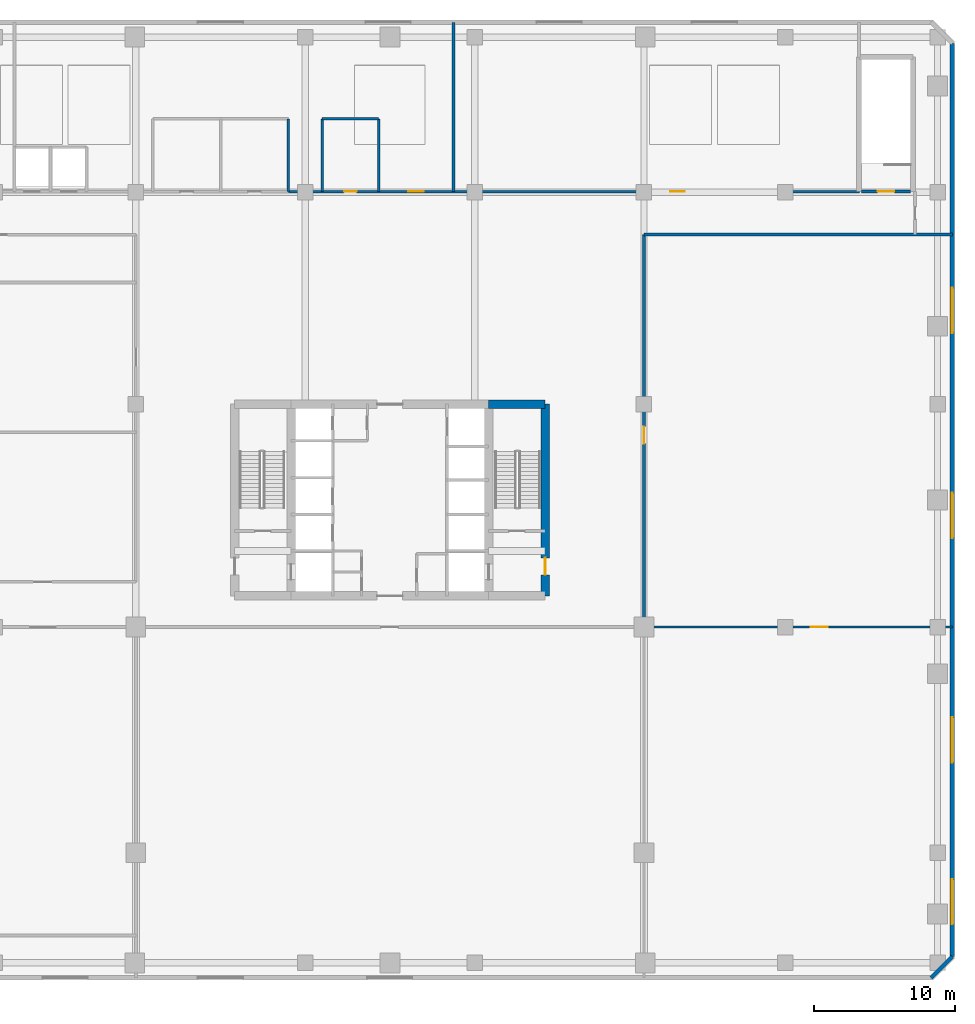
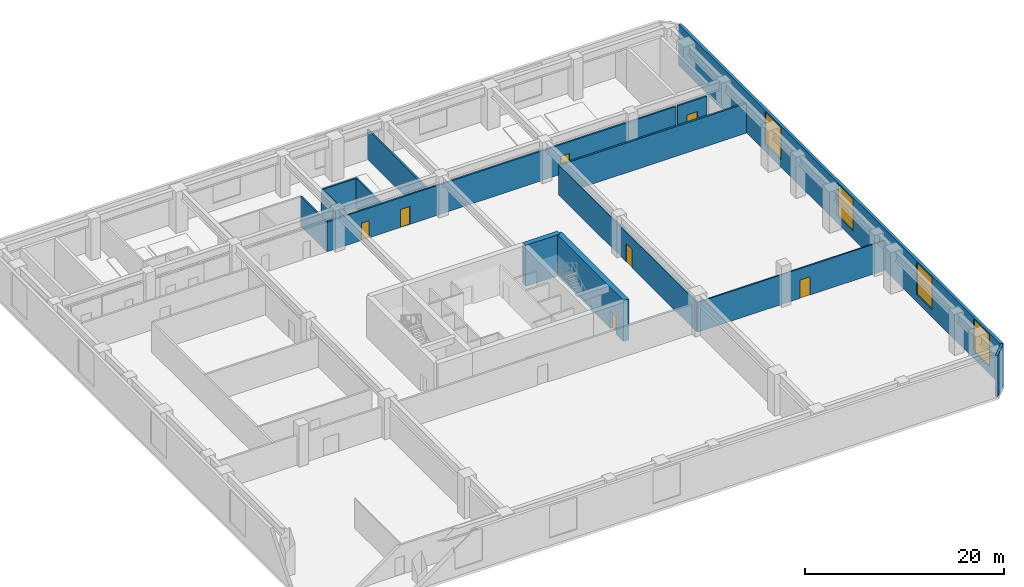
# One storey, part 7 of 12: 14 walls, 7 doors, 4 windows, 11 openings.
"""IFC4 building model written with IfcOpenShell, lengths in metres."""

from ifc_helpers import new_model, si_unit, direction, frame, frame_2d, origin, place, context, subcontext, project, spatial, rectangle, extrude, material, layer, layer_set, type_object, element, fill, save


model = new_model("IFC4")

# Units and contexts
model_context = context("Model", 3, precision=1e-05, world=origin(), true_north=direction((0.0, 1.0)))
body_context = subcontext(model_context, "Body", "Model", "MODEL_VIEW")
ifc_project = project(units=[si_unit("LENGTHUNIT", "METRE"), si_unit("AREAUNIT", "SQUARE_METRE"), si_unit("VOLUMEUNIT", "CUBIC_METRE"), si_unit("PLANEANGLEUNIT", "RADIAN"), si_unit("MASSUNIT", "GRAM", prefix="KILO")], contexts=[model_context])

# Site, building, storey
site_placement = place(None, origin())
site = spatial("IfcSite", under=ifc_project, at=site_placement, CompositionType="ELEMENT")
building_placement = place(site_placement, origin())
building = spatial("IfcBuilding", under=site, at=building_placement, Name="Sarneth Arch Tower", CompositionType="ELEMENT")
storey_placement = place(building_placement, frame((0.0, 0.0, 16.800048828125)))
storey = spatial("IfcBuildingStorey", under=building, at=storey_placement, Name="L03", CompositionType="ELEMENT", Elevation=16.800048828125)

# Wall
ifc_material_1 = material(Name="Concrete C60/75", Category="concrete")
ifc_layer_1 = layer(ifc_material_1, 0.60009765625)
ifc_layer_set_1 = layer_set([ifc_layer_1], Name="Concrete C60/75")
wall_type_1 = type_object("IfcWallType", Name="WALL-CORE-600", PredefinedType="SHEAR", material=ifc_layer_set_1)
wall_1_placement = place(storey_placement, frame((55.0, 48.800048828125, 0.0), z_axis=(0.0, 0.0, 1.0), x_axis=(1.0, 0.0, 0.0)))
element("IfcWall", 1, at=wall_1_placement, inside=storey, type_object=wall_type_1, Name="L03 Core shear wall N-E", PredefinedType="SHEAR", context=body_context, shape_type="SweptSolid", body=[
    extrude(rectangle(XDim=4.0, YDim=0.60009765625, at=frame_2d((2.0, 0.0))), origin(), (0.0, 0.0, 1.0), 5.050048828125),
])

# Wall, opening, door
wall_2_placement = place(storey_placement, frame((59.0, 35.199951171875, 0.0), z_axis=(0.0, 0.0, 1.0), x_axis=(0.0, 1.0, 0.0)))
wall_2 = element("IfcWall", 2, at=wall_2_placement, inside=storey, type_object=wall_type_1, Name="L03 Core shear wall E", PredefinedType="SHEAR", context=body_context, shape_type="SweptSolid", body=[
    extrude(rectangle(XDim=13.60009765625, YDim=0.60009765625, at=frame_2d((6.800048828125, 0.0))), origin(), (0.0, 0.0, 1.0), 5.050048828125),
])
opening_1_placement = place(wall_2_placement, frame((1.5, 0.0, 0.0)))
opening_1 = element("IfcOpeningElement", 3, at=opening_1_placement, cuts=wall_2, Name="Opening FD-02", PredefinedType="OPENING", context=body_context, shape_type="SweptSolid", body=[
    extrude(rectangle(XDim=1.199951171875, YDim=2.14990234375, at=frame_2d((0.60009765625, 1.074951171875))), frame((0.0, 0.31005859375, 0.0), z_axis=(0.0, -1.0, 0.0), x_axis=(1.0, 0.0, 0.0)), (0.0, 0.0, 1.0), 0.6201171875),
])
ifc_material_2 = material(Name="Galvanised Steel S275 fire door set", Category="steel")
door_type_1 = type_object("IfcDoorType", Name="DR-FD90-1200", OperationType="SINGLE_SWING_LEFT", PredefinedType="DOOR", material=ifc_material_2)
door_1_placement = place(opening_1_placement, origin())
door_1 = element("IfcDoor", 4, at=door_1_placement, inside=storey, type_object=door_type_1, Name="L03 Firefighting lobby 2 exit door", OperationType="SINGLE_SWING_RIGHT", OverallHeight=2.14990234375, OverallWidth=1.199951171875, PredefinedType="DOOR", context=body_context, shape_type="SweptSolid", body=[
    extrude(rectangle(XDim=1.199951171875, YDim=2.14990234375, at=frame_2d((0.60009765625, 1.074951171875))), frame((0.0, 0.02490234375, 0.0), z_axis=(0.0, -1.0, 0.0), x_axis=(1.0, 0.0, 0.0)), (0.0, 0.0, 1.0), 0.050048828125),
])
fill(opening_1, door_1)

# Wall, openings, doors
ifc_material_3 = material(Name="Double steel-stud corridor fire wall", Category="steel")
ifc_layer_2 = layer(ifc_material_3, 0.18994140625)
ifc_layer_set_2 = layer_set([ifc_layer_2], Name="Double steel-stud corridor fire wall")
wall_type_2 = type_object("IfcWallType", Name="WALL-CORR-190", PredefinedType="PARTITIONING", material=ifc_layer_set_2)
wall_3_placement = place(storey_placement, frame((40.76806640625, 63.85009765625, 0.0), z_axis=(0.0, 0.0, 1.0), x_axis=(1.0, 0.0, 0.0)))
wall_3 = element("IfcWall", 5, at=wall_3_placement, inside=storey, type_object=wall_type_2, Name="L03 Interior partition W-L03-TP-017", PredefinedType="PARTITIONING", context=body_context, shape_type="SweptSolid", body=[
    extrude(rectangle(XDim=40.513916015625, YDim=0.18994140625, at=frame_2d((20.2568359375, 0.0))), origin(), (0.0, 0.0, 1.0), 3.64990234375),
])
opening_2_placement = place(wall_3_placement, frame((27.10693359375, 0.0, 0.0)))
opening_2 = element("IfcOpeningElement", 6, at=opening_2_placement, cuts=wall_3, Name="Opening FD-08", PredefinedType="OPENING", context=body_context, shape_type="SweptSolid", body=[
    extrude(rectangle(XDim=1.0, YDim=2.199951171875, at=frame_2d((0.5, 1.10009765625))), frame((0.0, 0.10498046875, 0.0), z_axis=(0.0, -1.0, 0.0), x_axis=(1.0, 0.0, 0.0)), (0.0, 0.0, 1.0), 0.2099609375),
])
opening_3_placement = place(wall_3_placement, frame((8.531982421875, 0.0, 0.0)))
opening_3 = element("IfcOpeningElement", 7, at=opening_3_placement, cuts=wall_3, Name="Opening FD-07", PredefinedType="OPENING", context=body_context, shape_type="SweptSolid", body=[
    extrude(rectangle(XDim=1.10009765625, YDim=2.199951171875, at=frame_2d((0.550048828125, 1.10009765625))), frame((0.0, 0.10498046875, 0.0), z_axis=(0.0, -1.0, 0.0), x_axis=(1.0, 0.0, 0.0)), (0.0, 0.0, 1.0), 0.2099609375),
])
opening_4_placement = place(wall_3_placement, frame((3.98193359375, 0.0, 0.0)))
opening_4 = element("IfcOpeningElement", 8, at=opening_4_placement, cuts=wall_3, Name="Opening ID-01", PredefinedType="OPENING", context=body_context, shape_type="SweptSolid", body=[
    extrude(rectangle(XDim=0.89990234375, YDim=2.10009765625, at=frame_2d((0.449951171875, 1.050048828125))), frame((0.0, 0.10498046875, 0.0), z_axis=(0.0, -1.0, 0.0), x_axis=(1.0, 0.0, 0.0)), (0.0, 0.0, 1.0), 0.2099609375),
])
ifc_material_4 = material(Name="Hardwood timber acoustic fire door", Category="wood")
door_type_2 = type_object("IfcDoorType", Name="DR-FD60-1000", OperationType="SINGLE_SWING_LEFT", PredefinedType="DOOR", material=ifc_material_4)
door_2_placement = place(opening_2_placement, origin())
door_2 = element("IfcDoor", 9, at=door_2_placement, inside=storey, type_object=door_type_2, Name="L03 Interior door DR-L03-COAT", OperationType="SINGLE_SWING_LEFT", OverallHeight=2.199951171875, OverallWidth=1.0, PredefinedType="DOOR", context=body_context, shape_type="SweptSolid", body=[
    extrude(rectangle(XDim=1.0, YDim=2.199951171875, at=frame_2d((0.5, 1.10009765625))), frame((0.0, 0.02490234375, 0.0), z_axis=(0.0, -1.0, 0.0), x_axis=(1.0, 0.0, 0.0)), (0.0, 0.0, 1.0), 0.050048828125),
])
fill(opening_2, door_2)
ifc_material_5 = material(Name="Hardwood timber acoustic fire door", Category="wood")
door_type_3 = type_object("IfcDoorType", Name="DR-FD60-1100", OperationType="SINGLE_SWING_RIGHT", PredefinedType="DOOR", material=ifc_material_5)
door_3_placement = place(opening_3_placement, origin())
door_3 = element("IfcDoor", 10, at=door_3_placement, inside=storey, type_object=door_type_3, Name="L03 Interior door DR-L03-NSTR", OperationType="SINGLE_SWING_RIGHT", OverallHeight=2.199951171875, OverallWidth=1.10009765625, PredefinedType="DOOR", context=body_context, shape_type="SweptSolid", body=[
    extrude(rectangle(XDim=1.10009765625, YDim=2.199951171875, at=frame_2d((0.550048828125, 1.10009765625))), frame((0.0, 0.02490234375, 0.0), z_axis=(0.0, -1.0, 0.0), x_axis=(1.0, 0.0, 0.0)), (0.0, 0.0, 1.0), 0.050048828125),
])
fill(opening_3, door_3)
ifc_material_6 = material(Name="Engineered hardwood flush door", Category="wood")
door_type_4 = type_object("IfcDoorType", Name="DR-INT-900", OperationType="SINGLE_SWING_LEFT", PredefinedType="DOOR", material=ifc_material_6)
door_4_placement = place(opening_4_placement, origin())
door_4 = element("IfcDoor", 11, at=door_4_placement, inside=storey, type_object=door_type_4, Name="L03 Interior door DR-L03-WCA", OperationType="SINGLE_SWING_LEFT", OverallHeight=2.10009765625, OverallWidth=0.89990234375, PredefinedType="DOOR", context=body_context, shape_type="SweptSolid", body=[
    extrude(rectangle(XDim=0.89990234375, YDim=2.10009765625, at=frame_2d((0.449951171875, 1.050048828125))), frame((0.0, 0.02490234375, 0.0), z_axis=(0.0, -1.0, 0.0), x_axis=(1.0, 0.0, 0.0)), (0.0, 0.0, 1.0), 0.050048828125),
])
fill(opening_4, door_4)

# Wall, opening, door
wall_4_placement = place(storey_placement, frame((66.0, 60.800048828125, 0.0), z_axis=(0.0, 0.0, 1.0), x_axis=(0.0, -1.0, 0.0)))
wall_4 = element("IfcWall", 12, at=wall_4_placement, inside=storey, type_object=wall_type_2, Name="L03 Interior partition W-L03-TP-010", PredefinedType="PARTITIONING", context=body_context, shape_type="SweptSolid", body=[
    extrude(rectangle(XDim=27.800048828125, YDim=0.18994140625, at=frame_2d((13.89990234375, 0.0))), origin(), (0.0, 0.0, 1.0), 3.64990234375),
])
opening_5_placement = place(wall_4_placement, frame((13.60009765625, 0.0, 0.0)))
opening_5 = element("IfcOpeningElement", 13, at=opening_5_placement, cuts=wall_4, Name="Opening FD-06", PredefinedType="OPENING", context=body_context, shape_type="SweptSolid", body=[
    extrude(rectangle(XDim=1.199951171875, YDim=2.25, at=frame_2d((0.60009765625, 1.125))), frame((0.0, 0.10498046875, 0.0), z_axis=(0.0, -1.0, 0.0), x_axis=(1.0, 0.0, 0.0)), (0.0, 0.0, 1.0), 0.2099609375),
])
ifc_material_7 = material(Name="Hardwood timber acoustic fire door", Category="wood")
door_type_5 = type_object("IfcDoorType", Name="DR-FD60-1200", OperationType="SINGLE_SWING_LEFT", PredefinedType="DOOR", material=ifc_material_7)
door_5_placement = place(opening_5_placement, origin())
door_5 = element("IfcDoor", 14, at=door_5_placement, inside=storey, type_object=door_type_5, Name="L03 Interior door DR-L03-BPANT", OperationType="SINGLE_SWING_LEFT", OverallHeight=2.25, OverallWidth=1.199951171875, PredefinedType="DOOR", context=body_context, shape_type="SweptSolid", body=[
    extrude(rectangle(XDim=1.199951171875, YDim=2.25, at=frame_2d((0.60009765625, 1.125))), frame((0.0, 0.02490234375, 0.0), z_axis=(0.0, -1.0, 0.0), x_axis=(1.0, 0.0, 0.0)), (0.0, 0.0, 1.0), 0.050048828125),
])
fill(opening_5, door_5)

# Wall
ifc_material_8 = material(Name="Extruded terracotta rainscreen on Concrete C40/50 backing", Category="masonry")
ifc_layer_3 = layer(ifc_material_8, 0.280029296875)
ifc_layer_set_3 = layer_set([ifc_layer_3], Name="Extruded terracotta rainscreen on Concrete C40/50 backing")
wall_type_3 = type_object("IfcWallType", Name="WALL-EXT-TERRA-280", PredefinedType="SOLIDWALL", material=ifc_layer_set_3)
wall_5_placement = place(storey_placement, frame((86.35009765625, 8.14990234375, 0.0), z_axis=(0.0, 0.0, 1.0), x_axis=(0.707106781187, 0.707106781187, 0.0)))
element("IfcWall", 15, at=wall_5_placement, inside=storey, type_object=wall_type_3, Name="L03 Podium corner wall 2", PredefinedType="SOLIDWALL", context=body_context, shape_type="SweptSolid", body=[
    extrude(rectangle(XDim=2.121337890625, YDim=0.280029296875, at=frame_2d((1.060546875, 0.0))), origin(), (0.0, 0.0, 1.0), 5.050048828125),
])

# Wall, openings, windows
ifc_material_9 = material(Name="Extruded terracotta rainscreen on Concrete C40/50 backing", Category="masonry")
ifc_layer_4 = layer(ifc_material_9, 0.320068359375)
ifc_layer_set_4 = layer_set([ifc_layer_4], Name="Extruded terracotta rainscreen on Concrete C40/50 backing")
wall_type_4 = type_object("IfcWallType", Name="WALL-EXT-TERRA-320", PredefinedType="SOLIDWALL", material=ifc_layer_set_4)
wall_6_placement = place(storey_placement, frame((87.85009765625, 9.64990234375, 0.0), z_axis=(0.0, 0.0, 1.0), x_axis=(0.0, 1.0, 0.0)))
wall_6 = element("IfcWall", 16, at=wall_6_placement, inside=storey, type_object=wall_type_4, Name="L03 Podium exterior wall 3", PredefinedType="SOLIDWALL", context=body_context, shape_type="SweptSolid", body=[
    extrude(rectangle(XDim=64.7001953125, YDim=0.320068359375, at=frame_2d((32.35009765625, 0.0))), origin(), (0.0, 0.0, 1.0), 5.050048828125),
])
opening_6_placement = place(wall_6_placement, frame((2.27490234375, 0.0, 0.89990234375)))
opening_6 = element("IfcOpeningElement", 17, at=opening_6_placement, cuts=wall_6, Name="Opening W-01", PredefinedType="OPENING", context=body_context, shape_type="SweptSolid", body=[
    extrude(rectangle(XDim=3.199951171875, YDim=3.949951171875, at=frame_2d((1.60009765625, 1.97509765625))), frame((0.0, 0.169921875, 0.0), z_axis=(0.0, -1.0, 0.0), x_axis=(1.0, 0.0, 0.0)), (0.0, 0.0, 1.0), 0.340087890625),
])
opening_7_placement = place(wall_6_placement, frame((13.75, 0.0, 0.89990234375)))
opening_7 = element("IfcOpeningElement", 18, at=opening_7_placement, cuts=wall_6, Name="Opening W-01", PredefinedType="OPENING", context=body_context, shape_type="SweptSolid", body=[
    extrude(rectangle(XDim=3.199951171875, YDim=3.949951171875, at=frame_2d((1.60009765625, 1.97509765625))), frame((0.0, 0.169921875, 0.0), z_axis=(0.0, -1.0, 0.0), x_axis=(1.0, 0.0, 0.0)), (0.0, 0.0, 1.0), 0.340087890625),
])
opening_8_placement = place(wall_6_placement, frame((29.64990234375, 0.0, 0.89990234375)))
opening_8 = element("IfcOpeningElement", 19, at=opening_8_placement, cuts=wall_6, Name="Opening W-01", PredefinedType="OPENING", context=body_context, shape_type="SweptSolid", body=[
    extrude(rectangle(XDim=3.199951171875, YDim=3.949951171875, at=frame_2d((1.60009765625, 1.97509765625))), frame((0.0, 0.169921875, 0.0), z_axis=(0.0, -1.0, 0.0), x_axis=(1.0, 0.0, 0.0)), (0.0, 0.0, 1.0), 0.340087890625),
])
opening_9_placement = place(wall_6_placement, frame((44.175048828125, 0.0, 0.89990234375)))
opening_9 = element("IfcOpeningElement", 20, at=opening_9_placement, cuts=wall_6, Name="Opening W-01", PredefinedType="OPENING", context=body_context, shape_type="SweptSolid", body=[
    extrude(rectangle(XDim=3.199951171875, YDim=3.949951171875, at=frame_2d((1.60009765625, 1.97509765625))), frame((0.0, 0.169921875, 0.0), z_axis=(0.0, -1.0, 0.0), x_axis=(1.0, 0.0, 0.0)), (0.0, 0.0, 1.0), 0.340087890625),
])
ifc_material_10 = material(Name="Thermally broken Aluminium 6063-T6 and low-e laminated IGU", Category="aluminium")
window_type = type_object("IfcWindowType", Name="WIN-POD-3200x4800", PartitioningType="TRIPLE_PANEL_HORIZONTAL", PredefinedType="WINDOW", material=ifc_material_10)
window_1_placement = place(opening_6_placement, origin())
window_1 = element("IfcWindow", 21, at=window_1_placement, inside=storey, type_object=window_type, Name="L03 Ballroom window 3.1", OverallHeight=3.949951171875, OverallWidth=3.199951171875, PartitioningType="SINGLE_PANEL", PredefinedType="WINDOW", context=body_context, shape_type="SweptSolid", body=[
    extrude(rectangle(XDim=3.199951171875, YDim=3.949951171875, at=frame_2d((1.60009765625, 1.97509765625))), frame((0.0, 0.030029296875, 0.0), z_axis=(0.0, -1.0, 0.0), x_axis=(1.0, 0.0, 0.0)), (0.0, 0.0, 1.0), 0.06005859375),
])
fill(opening_6, window_1)
window_2_placement = place(opening_7_placement, origin())
window_2 = element("IfcWindow", 22, at=window_2_placement, inside=storey, type_object=window_type, Name="L03 Ballroom window 3.2", OverallHeight=3.949951171875, OverallWidth=3.199951171875, PartitioningType="SINGLE_PANEL", PredefinedType="WINDOW", context=body_context, shape_type="SweptSolid", body=[
    extrude(rectangle(XDim=3.199951171875, YDim=3.949951171875, at=frame_2d((1.60009765625, 1.97509765625))), frame((0.0, 0.030029296875, 0.0), z_axis=(0.0, -1.0, 0.0), x_axis=(1.0, 0.0, 0.0)), (0.0, 0.0, 1.0), 0.06005859375),
])
fill(opening_7, window_2)
window_3_placement = place(opening_8_placement, origin())
window_3 = element("IfcWindow", 23, at=window_3_placement, inside=storey, type_object=window_type, Name="L03 Ballroom window 3.3", OverallHeight=3.949951171875, OverallWidth=3.199951171875, PartitioningType="SINGLE_PANEL", PredefinedType="WINDOW", context=body_context, shape_type="SweptSolid", body=[
    extrude(rectangle(XDim=3.199951171875, YDim=3.949951171875, at=frame_2d((1.60009765625, 1.97509765625))), frame((0.0, 0.030029296875, 0.0), z_axis=(0.0, -1.0, 0.0), x_axis=(1.0, 0.0, 0.0)), (0.0, 0.0, 1.0), 0.06005859375),
])
fill(opening_8, window_3)
window_4_placement = place(opening_9_placement, origin())
window_4 = element("IfcWindow", 24, at=window_4_placement, inside=storey, type_object=window_type, Name="L03 Ballroom window 3.4", OverallHeight=3.949951171875, OverallWidth=3.199951171875, PartitioningType="SINGLE_PANEL", PredefinedType="WINDOW", context=body_context, shape_type="SweptSolid", body=[
    extrude(rectangle(XDim=3.199951171875, YDim=3.949951171875, at=frame_2d((1.60009765625, 1.97509765625))), frame((0.0, 0.030029296875, 0.0), z_axis=(0.0, -1.0, 0.0), x_axis=(1.0, 0.0, 0.0)), (0.0, 0.0, 1.0), 0.06005859375),
])
fill(opening_9, window_4)

# Wall
ifc_material_11 = material(Name="Aerated concrete blockwork C25/30", Category="masonry")
ifc_layer_5 = layer(ifc_material_11, 0.219970703125)
ifc_layer_set_5 = layer_set([ifc_layer_5], Name="Aerated concrete blockwork C25/30")
wall_type_5 = type_object("IfcWallType", Name="WALL-FIRE-220", PredefinedType="SOLIDWALL", material=ifc_layer_set_5)
wall_7_placement = place(storey_placement, frame((87.85009765625, 60.800048828125, 0.0), z_axis=(0.0, 0.0, 1.0), x_axis=(-1.0, 0.0, 0.0)))
element("IfcWall", 25, at=wall_7_placement, inside=storey, type_object=wall_type_5, Name="L03 Interior partition W-L03-TP-009", PredefinedType="SOLIDWALL", context=body_context, shape_type="SweptSolid", body=[
    extrude(rectangle(XDim=21.85009765625, YDim=0.219970703125, at=frame_2d((10.925048828125, 0.0))), origin(), (0.0, 0.0, 1.0), 3.64990234375),
])

# Wall, opening, door
ifc_material_12 = material(Name="Kitchen wet service chase wall", Category="gypsum")
ifc_layer_6 = layer(ifc_material_12, 0.159912109375)
ifc_layer_set_6 = layer_set([ifc_layer_6], Name="Kitchen wet service chase wall")
wall_type_6 = type_object("IfcWallType", Name="WALL-PLUMB-160", PredefinedType="PLUMBINGWALL", material=ifc_layer_set_6)
wall_8_placement = place(storey_placement, frame((66.0, 33.0, 0.0), z_axis=(0.0, 0.0, 1.0), x_axis=(1.0, 0.0, 0.0)))
wall_8 = element("IfcWall", 26, at=wall_8_placement, inside=storey, type_object=wall_type_6, Name="L03 Interior partition W-L03-TP-027", PredefinedType="PLUMBINGWALL", context=body_context, shape_type="SweptSolid", body=[
    extrude(rectangle(XDim=21.85009765625, YDim=0.159912109375, at=frame_2d((10.925048828125, 0.0))), origin(), (0.0, 0.0, 1.0), 3.64990234375),
])
opening_10_placement = place(wall_8_placement, frame((11.824951171875, 0.0, 0.0)))
opening_10 = element("IfcOpeningElement", 27, at=opening_10_placement, cuts=wall_8, Name="Opening FD-06", PredefinedType="OPENING", context=body_context, shape_type="SweptSolid", body=[
    extrude(rectangle(XDim=1.199951171875, YDim=2.25, at=frame_2d((0.60009765625, 1.125))), frame((0.0, 0.08984375, 0.0), z_axis=(0.0, -1.0, 0.0), x_axis=(1.0, 0.0, 0.0)), (0.0, 0.0, 1.0), 0.179931640625),
])
door_6_placement = place(opening_10_placement, origin())
door_6 = element("IfcDoor", 28, at=door_6_placement, inside=storey, type_object=door_type_5, Name="L03 Interior door DR-L03-BKIT", OperationType="SINGLE_SWING_LEFT", OverallHeight=2.25, OverallWidth=1.199951171875, PredefinedType="DOOR", context=body_context, shape_type="SweptSolid", body=[
    extrude(rectangle(XDim=1.199951171875, YDim=2.25, at=frame_2d((0.60009765625, 1.125))), frame((0.0, 0.02490234375, 0.0), z_axis=(0.0, -1.0, 0.0), x_axis=(1.0, 0.0, 0.0)), (0.0, 0.0, 1.0), 0.050048828125),
])
fill(opening_10, door_6)

# Walls
ifc_material_13 = material(Name="Moisture-resistant plumbing chase wall", Category="gypsum")
ifc_layer_7 = layer(ifc_material_13, 0.179931640625)
ifc_layer_set_7 = layer_set([ifc_layer_7], Name="Moisture-resistant plumbing chase wall")
wall_type_7 = type_object("IfcWallType", Name="WALL-PLUMB-180", PredefinedType="PLUMBINGWALL", material=ifc_layer_set_7)
for number, where, z_axis, x_axis, name in (
    (29, (40.800048828125, 69.0, 0.0), (0.0, 0.0, 1.0), (0.0, -1.0, 0.0), "L03 Interior partition W-L03-TP-038"),
    (30, (43.199951171875, 63.85009765625, 0.0), (0.0, 0.0, 1.0), (0.0, 1.0, 0.0), "L03 Interior partition W-L03-TP-039"),
    (31, (47.199951171875, 69.0, 0.0), (0.0, 0.0, 1.0), (0.0, -1.0, 0.0), "L03 Interior partition W-L03-TP-041"),
):
    element("IfcWall", number, at=place(storey_placement, frame(where, z_axis=z_axis, x_axis=x_axis)), inside=storey, type_object=wall_type_7, Name=name, PredefinedType="PLUMBINGWALL", context=body_context, shape_type="SweptSolid", body=[
        extrude(rectangle(XDim=5.14990234375, YDim=0.179931640625, at=frame_2d((2.574951171875, 0.0))), origin(), (0.0, 0.0, 1.0), 3.64990234375),
    ])
wall_9_placement = place(storey_placement, frame((43.199951171875, 69.0, 0.0), z_axis=(0.0, 0.0, 1.0), x_axis=(1.0, 0.0, 0.0)))
element("IfcWall", 32, at=wall_9_placement, inside=storey, type_object=wall_type_7, Name="L03 Interior partition W-L03-TP-040", PredefinedType="PLUMBINGWALL", context=body_context, shape_type="SweptSolid", body=[
    extrude(rectangle(XDim=4.0, YDim=0.179931640625, at=frame_2d((2.0, 0.0))), origin(), (0.0, 0.0, 1.0), 3.64990234375),
])

# Wall, opening, door
ifc_material_14 = material(Name="Aerated concrete blockwork C25/30", Category="masonry")
ifc_layer_8 = layer(ifc_material_14, 0.199951171875)
ifc_layer_set_8 = layer_set([ifc_layer_8], Name="Aerated concrete blockwork C25/30")
wall_type_8 = type_object("IfcWallType", Name="WALL-SHAFT-200", PredefinedType="SOLIDWALL", material=ifc_layer_set_8)
wall_10_placement = place(storey_placement, frame((81.429931640625, 63.85009765625, 0.0), z_axis=(0.0, 0.0, 1.0), x_axis=(1.0, 0.0, 0.0)))
wall_10 = element("IfcWall", 33, at=wall_10_placement, inside=storey, type_object=wall_type_8, Name="L03 Interior partition W-L03-STP2-S", PredefinedType="SOLIDWALL", context=body_context, shape_type="SweptSolid", body=[
    extrude(rectangle(XDim=3.440185546875, YDim=0.199951171875, at=frame_2d((1.72021484375, 0.0))), origin(), (0.0, 0.0, 1.0), 3.64990234375),
])
opening_11_placement = place(wall_10_placement, frame((1.1201171875, 0.0, 0.0)))
opening_11 = element("IfcOpeningElement", 34, at=opening_11_placement, cuts=wall_10, Name="Opening FD-02", PredefinedType="OPENING", context=body_context, shape_type="SweptSolid", body=[
    extrude(rectangle(XDim=1.199951171875, YDim=2.14990234375, at=frame_2d((0.60009765625, 1.074951171875))), frame((0.0, 0.10986328125, 0.0), z_axis=(0.0, -1.0, 0.0), x_axis=(1.0, 0.0, 0.0)), (0.0, 0.0, 1.0), 0.219970703125),
])
door_7_placement = place(opening_11_placement, origin())
door_7 = element("IfcDoor", 35, at=door_7_placement, inside=storey, type_object=door_type_1, Name="L03 Interior door DR-L03-STP2", OperationType="SINGLE_SWING_RIGHT", OverallHeight=2.14990234375, OverallWidth=1.199951171875, PredefinedType="DOOR", context=body_context, shape_type="SweptSolid", body=[
    extrude(rectangle(XDim=1.199951171875, YDim=2.14990234375, at=frame_2d((0.60009765625, 1.074951171875))), frame((0.0, 0.02490234375, 0.0), z_axis=(0.0, -1.0, 0.0), x_axis=(1.0, 0.0, 0.0)), (0.0, 0.0, 1.0), 0.050048828125),
])
fill(opening_11, door_7)

# Wall
ifc_material_15 = material(Name="Double steel-stud acoustic drywall", Category="steel")
ifc_layer_9 = layer(ifc_material_15, 0.199951171875)
ifc_layer_set_9 = layer_set([ifc_layer_9], Name="Double steel-stud acoustic drywall")
wall_type_9 = type_object("IfcWallType", Name="WALL-UNIT-200", PredefinedType="PARTITIONING", material=ifc_layer_set_9)
wall_11_placement = place(storey_placement, frame((52.5, 75.85009765625, 0.0), z_axis=(0.0, 0.0, 1.0), x_axis=(0.0, -1.0, 0.0)))
element("IfcWall", 36, at=wall_11_placement, inside=storey, type_object=wall_type_9, Name="L03 Interior partition W-L03-TP-042", PredefinedType="PARTITIONING", context=body_context, shape_type="SweptSolid", body=[
    extrude(rectangle(XDim=12.0, YDim=0.199951171875, at=frame_2d((6.0, 0.0))), origin(), (0.0, 0.0, 1.0), 3.64990234375),
])

save(model, "model.ifc")
